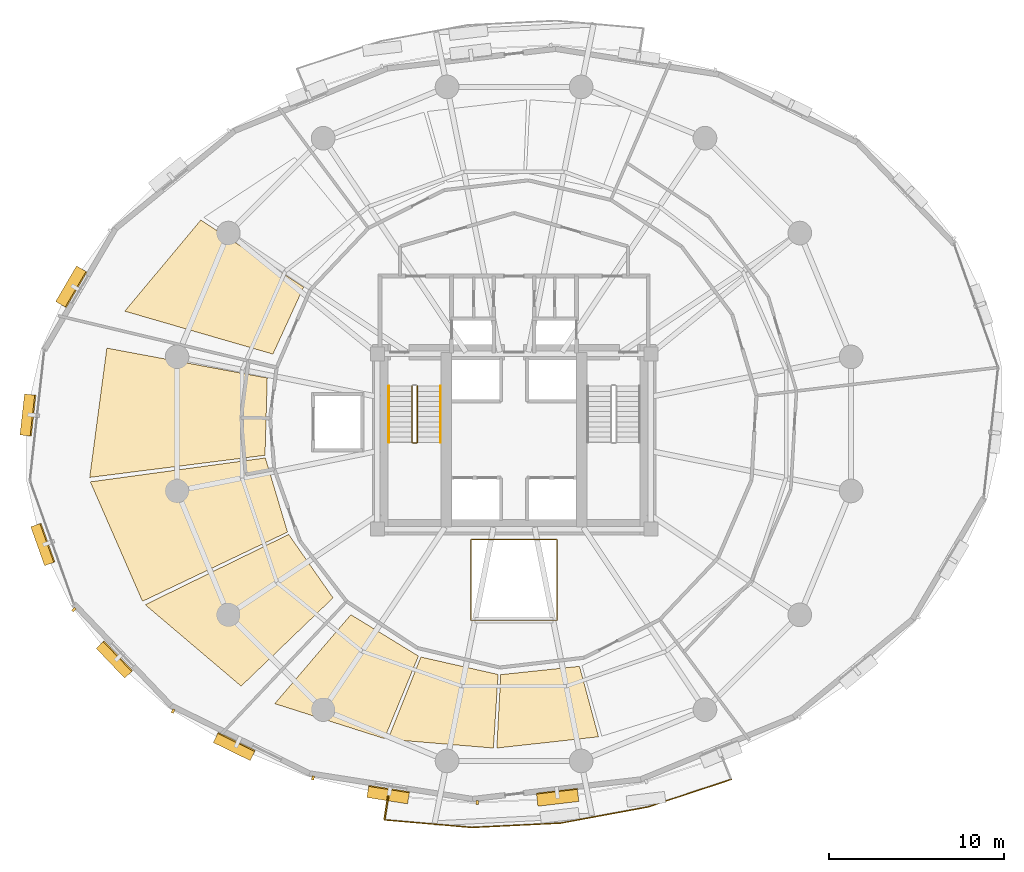
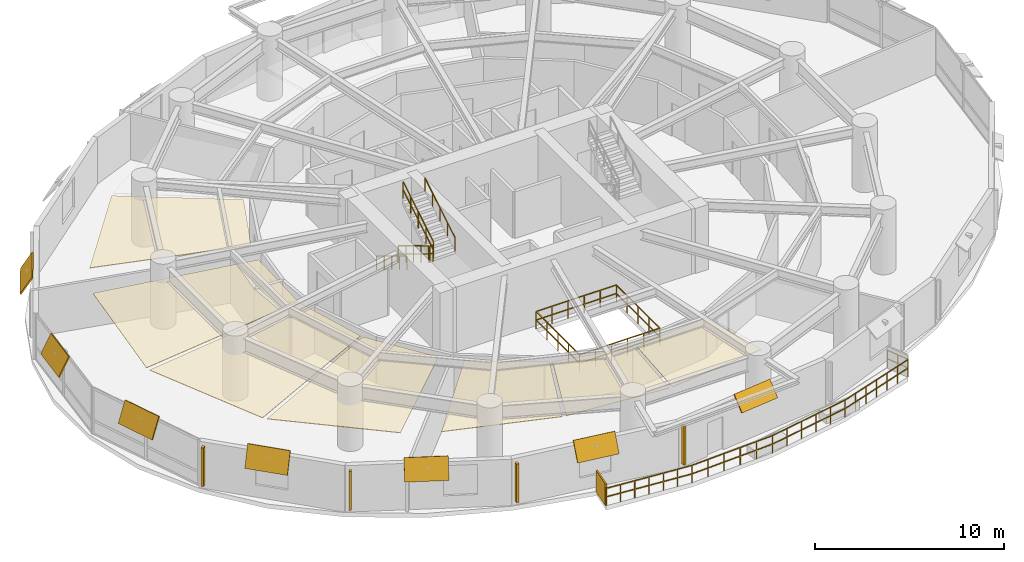
# One storey, part 15 of 17: 12 shading devices, 7 coverings, 7 railings.
"""IFC4 building model written with IfcOpenShell, lengths in metres."""

import ifcopenshell
import ifcopenshell.guid

model = None  # the IFC model being written
_history = None  # IfcOwnerHistory: only IFC2X3 demands one
_inside = {}  # id of a spatial element -> (the spatial element, [elements in it])
_under = {}  # id of a project, library or spatial element -> (it, [spatial elements below it])
_declared = {}  # id of a project -> (the project, [libraries it declares])
_typed = {}  # id of a type object -> (the type object, [elements of that type])
_made_of = {}  # id of a material, layer set ... -> (it, [elements and type objects made of it])


def new_model(schema):
    """Start an empty IFC model of exactly this schema.

    Asked for "IFC4X3", IfcOpenShell would pick the latest addendum, in which some entities
    have other attributes; the version numbers below select the first issue.
    IFC2X3 requires an IfcOwnerHistory on every rooted entity: one is made here for all.
    """
    global model, _history
    if schema == "IFC4X3":
        model = ifcopenshell.file(schema_version=(4, 3, 0, 0))
    else:
        model = ifcopenshell.file(schema=schema)
    _inside.clear()
    _under.clear()
    _declared.clear()
    _typed.clear()
    _made_of.clear()
    _history = None
    if model.schema == "IFC2X3":
        org = make("IfcOrganization", Name="unknown")
        user = make(
            "IfcPersonAndOrganization",
            ThePerson=make("IfcPerson", FamilyName="unknown"),
            TheOrganization=org,
        )
        app = make(
            "IfcApplication",
            ApplicationDeveloper=org,
            Version="unknown",
            ApplicationFullName="unknown",
            ApplicationIdentifier="unknown",
        )
        _history = make(
            "IfcOwnerHistory",
            OwningUser=user,
            OwningApplication=app,
            ChangeAction="ADDED",
            CreationDate=0,
        )
    return model


def make(cls, **values):
    """One entity of the class cls with the attributes given. An attribute that is None is left unset."""
    return model.create_entity(
        cls, **{name: value for name, value in values.items() if value is not None}
    )


def rooted(cls, **values):
    """An entity with a GlobalId (a new one), such as an element, a storey or a relation."""
    return make(cls, GlobalId=ifcopenshell.guid.new(), OwnerHistory=_history, **values)


def si_unit(unit_type, name, prefix=None):
    """IfcSIUnit, for example si_unit("LENGTHUNIT", "METRE", prefix="MILLI")."""
    return make("IfcSIUnit", UnitType=unit_type, Prefix=prefix, Name=name)


def assignment(units):
    """IfcUnitAssignment: the units of a project."""
    return None if units is None else make("IfcUnitAssignment", Units=units)


def point(xyz):
    """IfcCartesianPoint."""
    return None if xyz is None else make("IfcCartesianPoint", Coordinates=xyz)


def direction(xyz):
    """IfcDirection."""
    return None if xyz is None else make("IfcDirection", DirectionRatios=xyz)


def frame(location, z_axis=None, x_axis=None):
    """IfcAxis2Placement3D, a coordinate frame: its origin and axes. An axis left out is left unset."""
    return make(
        "IfcAxis2Placement3D",
        Location=point(location),
        Axis=direction(z_axis),
        RefDirection=direction(x_axis),
    )


def frame_2d(location, x_axis=None):
    """IfcAxis2Placement2D, a coordinate frame in the plane: its origin and x axis."""
    return make(
        "IfcAxis2Placement2D", Location=point(location), RefDirection=direction(x_axis)
    )


def origin():
    """The frame at (0, 0, 0) with its axes left unset."""
    return frame((0.0, 0.0, 0.0))


def origin_2d():
    """The frame at (0, 0) in the plane with its x axis left unset."""
    return frame_2d((0.0, 0.0))


def place(relative_to, where):
    """IfcLocalPlacement: puts the frame where relative to a parent placement (None: the world)."""
    return make(
        "IfcLocalPlacement", PlacementRelTo=relative_to, RelativePlacement=where
    )


def context(
    kind, dimensions, precision=None, world=None, true_north=None, identifier=None
):
    """IfcGeometricRepresentationContext, for example the 3D "Model" context."""
    return make(
        "IfcGeometricRepresentationContext",
        ContextIdentifier=identifier,
        ContextType=kind,
        CoordinateSpaceDimension=dimensions,
        Precision=precision,
        WorldCoordinateSystem=world,
        TrueNorth=true_north,
    )


def subcontext(parent, identifier, kind, view, scale=None):
    """IfcGeometricRepresentationSubContext, for example "Body" below "Model"."""
    return make(
        "IfcGeometricRepresentationSubContext",
        ContextIdentifier=identifier,
        ContextType=kind,
        ParentContext=parent,
        TargetScale=scale,
        TargetView=view,
    )


def project(units=None, contexts=None):
    """IfcProject with its units and contexts."""
    return rooted(
        "IfcProject",
        Name="project",
        RepresentationContexts=contexts,
        UnitsInContext=assignment(units),
    )


def spatial(cls, under=None, at=None, **own):
    """A site, building, storey or space (cls), placed at a placement, below another one or the project."""
    s = rooted(cls, ObjectPlacement=at, **own)
    if under is not None:
        _under.setdefault(under.id(), (under, []))[1].append(s)
    return s


def polyline(points):
    """IfcPolyline through the points."""
    return make("IfcPolyline", Points=[point(p) for p in points])


def profile(cls, at=None, kind="AREA", **sizes):
    """A parametric profile (cls). Its sizes go by their IFC names, for example OverallWidth=200.0."""
    return make(cls, ProfileType=kind, Position=at, **sizes)


def rectangle(**sizes):
    """IfcRectangleProfileDef."""
    return profile("IfcRectangleProfileDef", **sizes)


def outline(outer, holes=None, kind="AREA"):
    """IfcArbitraryClosedProfileDef: a profile drawn as a closed curve; with holes, ...WithVoids."""
    if holes is None:
        return make("IfcArbitraryClosedProfileDef", ProfileType=kind, OuterCurve=outer)
    return make(
        "IfcArbitraryProfileDefWithVoids",
        ProfileType=kind,
        OuterCurve=outer,
        InnerCurves=holes,
    )


def extrude(swept, where, along, depth):
    """IfcExtrudedAreaSolid: the profile swept, set in the frame where, extruded along a direction by depth."""
    return make(
        "IfcExtrudedAreaSolid",
        SweptArea=swept,
        Position=where,
        ExtrudedDirection=direction(along),
        Depth=depth,
    )


def shape(context_of_items, identifier, shape_type, items):
    """IfcShapeRepresentation: the items that make up one representation, for example the "Body"."""
    return make(
        "IfcShapeRepresentation",
        ContextOfItems=context_of_items,
        RepresentationIdentifier=identifier,
        RepresentationType=shape_type,
        Items=items,
    )


def material(Name=None, Category=None):
    """IfcMaterial."""
    return make("IfcMaterial", Name=Name, Category=Category)


def layer(
    of_material, thickness, ventilated=None, Name=None, Category=None, Priority=None
):
    """IfcMaterialLayer: one layer of a wall or slab, of a material (None: an air gap)."""
    return make(
        "IfcMaterialLayer",
        Material=of_material,
        LayerThickness=thickness,
        IsVentilated=ventilated,
        Name=Name,
        Category=Category,
        Priority=Priority,
    )


def layer_set(layers, Name=None):
    """IfcMaterialLayerSet."""
    return make("IfcMaterialLayerSet", MaterialLayers=layers, LayerSetName=Name)


def made_of(thing, what):
    """Note that an element or type object is made of a material, layer set ...; save() writes the relation."""
    if what is not None:
        _made_of.setdefault(what.id(), (what, []))[1].append(thing)
    return thing


def type_object(cls, material=None, **own):
    """A type object (cls), such as IfcWallType, which elements share."""
    return made_of(rooted(cls, **own), material)


def element(
    cls,
    number,
    at=None,
    inside=None,
    cuts=None,
    type_object=None,
    material=None,
    context=None,
    identifier="Body",
    shape_type=None,
    held_by="IfcProductDefinitionShape",
    body=None,
    shapes=None,
    **own,
):
    """One element of the class cls, such as IfcWall. Its Tag is "e" and its number.

    at: its placement. inside: the storey or other place that contains it. cuts: it is an
    opening in that element (IfcRelVoidsElement). A single representation is given by context,
    identifier, shape_type and body (its items); several are given by shapes. held_by: the class
    of the entity that holds the representations. save() writes the other relations.
    """
    e = rooted(cls, Tag="e%d" % number, ObjectPlacement=at, **own)
    if body is not None:
        shapes = [shape(context, identifier, shape_type, body)]
    if shapes is not None:
        e.Representation = make(held_by, Representations=shapes)
    if inside is not None:
        _inside.setdefault(inside.id(), (inside, []))[1].append(e)
    if cuts is not None:
        rooted(
            "IfcRelVoidsElement", RelatingBuildingElement=cuts, RelatedOpeningElement=e
        )
    if type_object is not None:
        _typed.setdefault(type_object.id(), (type_object, []))[1].append(e)
    return made_of(e, material)


def aggregate(whole, parts):
    """IfcRelAggregates: a whole, such as a stair, and the parts it consists of."""
    return rooted("IfcRelAggregates", RelatingObject=whole, RelatedObjects=parts)


def save(model, path):
    """Write the relations noted so far, then the file.

    IfcRelAggregates (storeys below a building ...), IfcRelContainedInSpatialStructure (elements
    in a storey), IfcRelDefinesByType, IfcRelAssociatesMaterial and IfcRelDeclares: one each for
    every whole, place, type object, material and project.
    """
    for whole, parts in _under.values():
        aggregate(whole, parts)
    for where, things in _inside.values():
        rooted(
            "IfcRelContainedInSpatialStructure",
            RelatedElements=things,
            RelatingStructure=where,
        )
    for kind, things in _typed.values():
        rooted("IfcRelDefinesByType", RelatedObjects=things, RelatingType=kind)
    for what, things in _made_of.values():
        rooted("IfcRelAssociatesMaterial", RelatedObjects=things, RelatingMaterial=what)
    for by, libraries in _declared.values():
        rooted("IfcRelDeclares", RelatingContext=by, RelatedDefinitions=libraries)
    model.write(path)


model = new_model("IFC4")

# Units and contexts
model_context = context("Model", 3, precision=1e-05, world=origin(), true_north=direction((0.0, 1.0)))
body_context = subcontext(model_context, "Body", "Model", "MODEL_VIEW")
ifc_project = project(units=[si_unit("LENGTHUNIT", "METRE"), si_unit("AREAUNIT", "SQUARE_METRE"), si_unit("VOLUMEUNIT", "CUBIC_METRE"), si_unit("PLANEANGLEUNIT", "RADIAN"), si_unit("MASSUNIT", "GRAM", prefix="KILO"), si_unit("THERMODYNAMICTEMPERATUREUNIT", "KELVIN"), si_unit("POWERUNIT", "WATT")], contexts=[model_context])

# Site, building, storey
site_placement = place(None, origin())
site = spatial("IfcSite", under=ifc_project, at=site_placement, CompositionType="ELEMENT")
building_placement = place(site_placement, origin())
building = spatial("IfcBuilding", under=site, at=building_placement, Name="Ocrelia Relay Tower", CompositionType="ELEMENT")
storey_placement = place(building_placement, frame((0.0, 0.0, 59.39990234375)))
storey = spatial("IfcBuildingStorey", under=building, at=storey_placement, Name="L13", CompositionType="ELEMENT", Elevation=59.39990234375)

# Coverings
ifc_material_1 = material(Name="Mineral-fiber acoustic ceiling tile", Category="gypsum")
ifc_layer_1 = layer(ifc_material_1, 0.0400390625, Name="Mineral-fiber acoustic ceiling tile")
ifc_layer_set_1 = layer_set([ifc_layer_1], Name="Mineral-fiber acoustic ceiling tile")
covering_type_1 = type_object("IfcCoveringType", Name="COV-CEIL-ACOUSTIC", PredefinedType="CEILING", material=ifc_layer_set_1)
covering_1_placement = place(storey_placement, frame((0.0, 0.0, 2.920166015625)))
element("IfcCovering", 1, at=covering_1_placement, inside=storey, type_object=covering_type_1, Name="L13 Technical Reference Library Suspended Ceiling 1", PredefinedType="CEILING", context=body_context, shape_type="SweptSolid", body=[
    extrude(outline(polyline([(19.922119140625, 28.621826171875), (10.7705078125, 30.326416015625), (9.792236328125, 22.948974609375), (19.79248046875, 24.20947265625), (19.922119140625, 28.621826171875)])), origin(), (0.0, 0.0, 1.0), 0.0400390625),
])
covering_2_placement = place(storey_placement, frame((0.0, 0.0, 2.920166015625)))
element("IfcCovering", 2, at=covering_2_placement, inside=storey, type_object=covering_type_1, Name="L13 Technical Reference Library Suspended Ceiling 2", PredefinedType="CEILING", context=body_context, shape_type="SweptSolid", body=[
    extrude(outline(polyline([(19.81201171875, 24.060791015625), (9.828369140625, 22.696044921875), (12.804443359375, 15.8828125), (21.076904296875, 19.831298828125), (19.81201171875, 24.060791015625)])), origin(), (0.0, 0.0, 1.0), 0.0400390625),
])
covering_3_placement = place(storey_placement, frame((0.0, 0.0, 2.920166015625)))
element("IfcCovering", 3, at=covering_3_placement, inside=storey, type_object=covering_type_1, Name="L13 Technical Reference Library Suspended Ceiling 3", PredefinedType="CEILING", context=body_context, shape_type="SweptSolid", body=[
    extrude(outline(polyline([(21.14208984375, 19.6962890625), (12.959716796875, 15.684814453125), (18.430419921875, 11.043212890625), (23.673095703125, 16.07958984375), (21.14208984375, 19.6962890625)])), origin(), (0.0, 0.0, 1.0), 0.0400390625),
])
covering_4_placement = place(storey_placement, frame((0.0, 0.0, 2.920166015625)))
element("IfcCovering", 4, at=covering_4_placement, inside=storey, type_object=covering_type_1, Name="L13 Executive Reading Study Suspended Ceiling 2", PredefinedType="CEILING", context=body_context, shape_type="SweptSolid", body=[
    extrude(outline(polyline([(21.9970703125, 33.809814453125), (16.127685546875, 37.628662109375), (11.79345703125, 32.4306640625), (20.2451171875, 29.983154296875), (21.9970703125, 33.809814453125)])), origin(), (0.0, 0.0, 1.0), 0.0400390625),
])
ifc_material_2 = material(Name="Cleanroom metal-pan acoustic ceiling", Category="aluminium")
ifc_layer_2 = layer(ifc_material_2, 0.0400390625, Name="Cleanroom metal-pan acoustic ceiling")
ifc_layer_set_2 = layer_set([ifc_layer_2], Name="Cleanroom metal-pan acoustic ceiling")
covering_type_2 = type_object("IfcCoveringType", Name="COV-CEIL-CLEAN", PredefinedType="CEILING", material=ifc_layer_set_2)
covering_5_placement = place(storey_placement, frame((0.0, 0.0, 2.920166015625)))
element("IfcCovering", 5, at=covering_5_placement, inside=storey, type_object=covering_type_2, Name="L13 Colocation Data Hall A Suspended Ceiling 1", PredefinedType="CEILING", context=body_context, shape_type="SweptSolid", body=[
    extrude(outline(polyline([(24.6904296875, 15.119140625), (20.348388671875, 10.044189453125), (26.60205078125, 8.05126953125), (28.543212890625, 12.760498046875), (24.6904296875, 15.119140625)])), origin(), (0.0, 0.0, 1.0), 0.0400390625),
])
covering_6_placement = place(storey_placement, frame((0.0, 0.0, 2.920166015625)))
element("IfcCovering", 6, at=covering_6_placement, inside=storey, type_object=covering_type_2, Name="L13 Colocation Data Hall A Suspended Ceiling 2", PredefinedType="CEILING", context=body_context, shape_type="SweptSolid", body=[
    extrude(outline(polyline([(28.681884765625, 12.7041015625), (26.8056640625, 8.0126953125), (32.820556640625, 7.509521484375), (33.08837890625, 11.708984375), (28.681884765625, 12.7041015625)])), origin(), (0.0, 0.0, 1.0), 0.0400390625),
])
covering_7_placement = place(storey_placement, frame((0.0, 0.0, 2.920166015625)))
element("IfcCovering", 7, at=covering_7_placement, inside=storey, type_object=covering_type_2, Name="L13 Colocation Data Hall A Suspended Ceiling 3", PredefinedType="CEILING", context=body_context, shape_type="SweptSolid", body=[
    extrude(outline(polyline([(33.238037109375, 11.7001953125), (33.014892578125, 7.512451171875), (38.81591796875, 8.152099609375), (37.73046875, 12.17431640625), (33.238037109375, 11.7001953125)])), origin(), (0.0, 0.0, 1.0), 0.0400390625),
])

# Railings
ifc_material_3 = material(Name="Steel S355 balustrade", Category="steel")
railing_type_1 = type_object("IfcRailingType", Name="RL-EXT-GUARD-1150", PredefinedType="GUARDRAIL", material=ifc_material_3)
railing_1_placement = place(storey_placement, frame((45.86328125, 7.013671875, 0.0)))
element("IfcRailing", 8, at=railing_1_placement, inside=storey, type_object=railing_type_1, Name="L13 Loggia Balcony Guard Rail B2", PredefinedType="GUARDRAIL", context=body_context, shape_type="SweptSolid", body=[
    extrude(rectangle(XDim=0.048095703125, YDim=0.048095703125, at=origin_2d()), frame((0.0, 0.0, 1.1259765625), z_axis=(0.379683250356, -0.92511654909, 0.0), x_axis=(0.92511654909, 0.379683250356, 0.0)), (0.0, 0.0, 1.0), 1.393310546875),
    extrude(rectangle(XDim=0.048095703125, YDim=0.048095703125, at=origin_2d()), frame((0.0, 0.0, 0.574951171875), z_axis=(0.379683250356, -0.92511654909, 0.0), x_axis=(0.92511654909, 0.379683250356, 0.0)), (0.0, 0.0, 1.0), 1.393310546875),
    extrude(rectangle(XDim=0.048095703125, YDim=0.048095703125, at=origin_2d()), frame((0.529052734375, -1.2890625, 1.1259765625), z_axis=(-0.949547118099, -0.31362440994, 0.0), x_axis=(0.31362440994, -0.949547118099, 0.0)), (0.0, 0.0, 1.0), 2.505126953125),
    extrude(rectangle(XDim=0.048095703125, YDim=0.048095703125, at=origin_2d()), frame((0.529052734375, -1.2890625, 0.574951171875), z_axis=(-0.949547118099, -0.31362440994, 0.0), x_axis=(0.31362440994, -0.949547118099, 0.0)), (0.0, 0.0, 1.0), 2.505126953125),
    extrude(rectangle(XDim=0.048095703125, YDim=0.048095703125, at=origin_2d()), frame((-1.849609375, -2.07470703125, 1.1259765625), z_axis=(-0.949547118099, -0.31362440994, 0.0), x_axis=(0.31362440994, -0.949547118099, 0.0)), (0.0, 0.0, 1.0), 2.505126953125),
    extrude(rectangle(XDim=0.048095703125, YDim=0.048095703125, at=origin_2d()), frame((-1.849609375, -2.07470703125, 0.574951171875), z_axis=(-0.949547118099, -0.31362440994, 0.0), x_axis=(0.31362440994, -0.949547118099, 0.0)), (0.0, 0.0, 1.0), 2.505126953125),
    extrude(rectangle(XDim=0.048095703125, YDim=0.048095703125, at=origin_2d()), frame((-4.228271484375, -2.8603515625, 1.1259765625), z_axis=(-0.983288716577, -0.182053013849, 0.0), x_axis=(0.182053013849, -0.983288716577, 0.0)), (0.0, 0.0, 1.0), 5.065185546875),
    extrude(rectangle(XDim=0.048095703125, YDim=0.048095703125, at=origin_2d()), frame((-4.228271484375, -2.8603515625, 0.574951171875), z_axis=(-0.983288716577, -0.182053013849, 0.0), x_axis=(0.182053013849, -0.983288716577, 0.0)), (0.0, 0.0, 1.0), 5.065185546875),
    extrude(rectangle(XDim=0.048095703125, YDim=0.048095703125, at=origin_2d()), frame((-9.208740234375, -3.782470703125, 1.1259765625), z_axis=(-0.998797716958, -0.049021634002, 0.0), x_axis=(0.049021634002, -0.998797716958, 0.0)), (0.0, 0.0, 1.0), 5.06494140625),
    extrude(rectangle(XDim=0.048095703125, YDim=0.048095703125, at=origin_2d()), frame((-9.208740234375, -3.782470703125, 0.574951171875), z_axis=(-0.998797716958, -0.049021634002, 0.0), x_axis=(0.049021634002, -0.998797716958, 0.0)), (0.0, 0.0, 1.0), 5.06494140625),
    extrude(rectangle(XDim=0.048095703125, YDim=0.048095703125, at=origin_2d()), frame((-14.267578125, -4.03076171875, 1.1259765625), z_axis=(-0.99623107395, 0.086738960655, 0.0), x_axis=(-0.086738960655, -0.99623107395, 0.0)), (0.0, 0.0, 1.0), 2.505126953125),
    extrude(rectangle(XDim=0.048095703125, YDim=0.048095703125, at=origin_2d()), frame((-14.267578125, -4.03076171875, 0.574951171875), z_axis=(-0.99623107395, 0.086738960655, 0.0), x_axis=(-0.086738960655, -0.99623107395, 0.0)), (0.0, 0.0, 1.0), 2.505126953125),
    extrude(rectangle(XDim=0.048095703125, YDim=0.048095703125, at=origin_2d()), frame((-16.76318359375, -3.8134765625, 1.1259765625), z_axis=(-0.99623107395, 0.086738960655, 0.0), x_axis=(-0.086738960655, -0.99623107395, 0.0)), (0.0, 0.0, 1.0), 2.505126953125),
    extrude(rectangle(XDim=0.048095703125, YDim=0.048095703125, at=origin_2d()), frame((-16.76318359375, -3.8134765625, 0.574951171875), z_axis=(-0.99623107395, 0.086738960655, 0.0), x_axis=(-0.086738960655, -0.99623107395, 0.0)), (0.0, 0.0, 1.0), 2.505126953125),
    extrude(rectangle(XDim=0.048095703125, YDim=0.048095703125, at=origin_2d()), frame((-19.2587890625, -3.59619140625, 1.1259765625), z_axis=(0.156637330586, 0.987656188492, 0.0), x_axis=(-0.987656188492, 0.156637330586, 0.0)), (0.0, 0.0, 1.0), 1.393310546875),
    extrude(rectangle(XDim=0.048095703125, YDim=0.048095703125, at=origin_2d()), frame((-19.2587890625, -3.59619140625, 0.574951171875), z_axis=(0.156637330586, 0.987656188492, 0.0), x_axis=(-0.987656188492, 0.156637330586, 0.0)), (0.0, 0.0, 1.0), 1.393310546875),
    extrude(rectangle(XDim=0.0419921875, YDim=0.0419921875, at=origin_2d()), origin(), (0.0, 0.0, 1.0), 1.101806640625),
    extrude(rectangle(XDim=0.0419921875, YDim=0.0419921875, at=origin_2d()), frame((0.2646484375, -0.64453125, 0.0)), (0.0, 0.0, 1.0), 1.101806640625),
    extrude(rectangle(XDim=0.0419921875, YDim=0.0419921875, at=origin_2d()), frame((0.529052734375, -1.2890625, 0.0)), (0.0, 0.0, 1.0), 1.101806640625),
    extrude(rectangle(XDim=0.0419921875, YDim=0.0419921875, at=origin_2d()), frame((-0.263916015625, -1.551025390625, 0.0)), (0.0, 0.0, 1.0), 1.101806640625),
    extrude(rectangle(XDim=0.0419921875, YDim=0.0419921875, at=origin_2d()), frame((-1.056640625, -1.812744140625, 0.0)), (0.0, 0.0, 1.0), 1.101806640625),
    extrude(rectangle(XDim=0.0419921875, YDim=0.0419921875, at=origin_2d()), frame((-1.849609375, -2.07470703125, 0.0)), (0.0, 0.0, 1.0), 1.101806640625),
    extrude(rectangle(XDim=0.0419921875, YDim=0.0419921875, at=origin_2d()), frame((-2.642578125, -2.336669921875, 0.0)), (0.0, 0.0, 1.0), 1.101806640625),
    extrude(rectangle(XDim=0.0419921875, YDim=0.0419921875, at=origin_2d()), frame((-3.435302734375, -2.598388671875, 0.0)), (0.0, 0.0, 1.0), 1.101806640625),
    extrude(rectangle(XDim=0.0419921875, YDim=0.0419921875, at=origin_2d()), frame((-4.228271484375, -2.8603515625, 0.0)), (0.0, 0.0, 1.0), 1.101806640625),
    extrude(rectangle(XDim=0.0419921875, YDim=0.0419921875, at=origin_2d()), frame((-5.224365234375, -3.044677734375, 0.0)), (0.0, 0.0, 1.0), 1.101806640625),
    extrude(rectangle(XDim=0.0419921875, YDim=0.0419921875, at=origin_2d()), frame((-6.220458984375, -3.229248046875, 0.0)), (0.0, 0.0, 1.0), 1.101806640625),
    extrude(rectangle(XDim=0.0419921875, YDim=0.0419921875, at=origin_2d()), frame((-7.216552734375, -3.41357421875, 0.0)), (0.0, 0.0, 1.0), 1.101806640625),
    extrude(rectangle(XDim=0.0419921875, YDim=0.0419921875, at=origin_2d()), frame((-8.212646484375, -3.59814453125, 0.0)), (0.0, 0.0, 1.0), 1.101806640625),
    extrude(rectangle(XDim=0.0419921875, YDim=0.0419921875, at=origin_2d()), frame((-9.208740234375, -3.782470703125, 0.0)), (0.0, 0.0, 1.0), 1.101806640625),
    extrude(rectangle(XDim=0.0419921875, YDim=0.0419921875, at=origin_2d()), frame((-10.220458984375, -3.83203125, 0.0)), (0.0, 0.0, 1.0), 1.101806640625),
    extrude(rectangle(XDim=0.0419921875, YDim=0.0419921875, at=origin_2d()), frame((-11.232177734375, -3.8818359375, 0.0)), (0.0, 0.0, 1.0), 1.101806640625),
    extrude(rectangle(XDim=0.0419921875, YDim=0.0419921875, at=origin_2d()), frame((-12.244140625, -3.931396484375, 0.0)), (0.0, 0.0, 1.0), 1.101806640625),
    extrude(rectangle(XDim=0.0419921875, YDim=0.0419921875, at=origin_2d()), frame((-13.255859375, -3.981201171875, 0.0)), (0.0, 0.0, 1.0), 1.101806640625),
    extrude(rectangle(XDim=0.0419921875, YDim=0.0419921875, at=origin_2d()), frame((-14.267578125, -4.03076171875, 0.0)), (0.0, 0.0, 1.0), 1.101806640625),
    extrude(rectangle(XDim=0.0419921875, YDim=0.0419921875, at=origin_2d()), frame((-15.099365234375, -3.958251953125, 0.0)), (0.0, 0.0, 1.0), 1.101806640625),
    extrude(rectangle(XDim=0.0419921875, YDim=0.0419921875, at=origin_2d()), frame((-15.931396484375, -3.885986328125, 0.0)), (0.0, 0.0, 1.0), 1.101806640625),
    extrude(rectangle(XDim=0.0419921875, YDim=0.0419921875, at=origin_2d()), frame((-16.76318359375, -3.8134765625, 0.0)), (0.0, 0.0, 1.0), 1.101806640625),
    extrude(rectangle(XDim=0.0419921875, YDim=0.0419921875, at=origin_2d()), frame((-17.594970703125, -3.740966796875, 0.0)), (0.0, 0.0, 1.0), 1.101806640625),
    extrude(rectangle(XDim=0.0419921875, YDim=0.0419921875, at=origin_2d()), frame((-18.427001953125, -3.668701171875, 0.0)), (0.0, 0.0, 1.0), 1.101806640625),
    extrude(rectangle(XDim=0.0419921875, YDim=0.0419921875, at=origin_2d()), frame((-19.2587890625, -3.59619140625, 0.0)), (0.0, 0.0, 1.0), 1.101806640625),
    extrude(rectangle(XDim=0.0419921875, YDim=0.0419921875, at=origin_2d()), frame((-19.149658203125, -2.908203125, 0.0)), (0.0, 0.0, 1.0), 1.101806640625),
    extrude(rectangle(XDim=0.0419921875, YDim=0.0419921875, at=origin_2d()), frame((-19.04052734375, -2.219970703125, 0.0)), (0.0, 0.0, 1.0), 1.101806640625),
])
ifc_material_4 = material(Name="Steel S355 atrium balustrade", Category="steel")
railing_type_2 = type_object("IfcRailingType", Name="RL-INT-GUARD-115", PredefinedType="GUARDRAIL", material=ifc_material_4)
railing_2_placement = place(storey_placement, frame((31.550048828125, 14.800048828125, 0.0)))
element("IfcRailing", 9, at=railing_2_placement, inside=storey, type_object=railing_type_2, Name="L13 Multi-Zone Interior Atrium Guard", PredefinedType="GUARDRAIL", context=body_context, shape_type="SweptSolid", body=[
    extrude(rectangle(XDim=0.048095703125, YDim=0.048095703125, at=origin_2d()), frame((0.0, 0.0, 1.1259765625), z_axis=(1.0, 0.0, 0.0), x_axis=(0.0, 1.0, 0.0)), (0.0, 0.0, 1.0), 4.89990234375),
    extrude(rectangle(XDim=0.048095703125, YDim=0.048095703125, at=origin_2d()), frame((0.0, 0.0, 0.574951171875), z_axis=(1.0, 0.0, 0.0), x_axis=(0.0, 1.0, 0.0)), (0.0, 0.0, 1.0), 4.89990234375),
    extrude(rectangle(XDim=0.048095703125, YDim=0.048095703125, at=origin_2d()), frame((4.89990234375, 0.0, 1.1259765625), z_axis=(0.0, 1.0, 0.0), x_axis=(-1.0, 0.0, 0.0)), (0.0, 0.0, 1.0), 4.599853515625),
    extrude(rectangle(XDim=0.048095703125, YDim=0.048095703125, at=origin_2d()), frame((4.89990234375, 0.0, 0.574951171875), z_axis=(0.0, 1.0, 0.0), x_axis=(-1.0, 0.0, 0.0)), (0.0, 0.0, 1.0), 4.599853515625),
    extrude(rectangle(XDim=0.048095703125, YDim=0.048095703125, at=origin_2d()), frame((4.89990234375, 4.599853515625, 1.1259765625), z_axis=(-1.0, 0.0, 0.0), x_axis=(0.0, -1.0, 0.0)), (0.0, 0.0, 1.0), 4.89990234375),
    extrude(rectangle(XDim=0.048095703125, YDim=0.048095703125, at=origin_2d()), frame((4.89990234375, 4.599853515625, 0.574951171875), z_axis=(-1.0, 0.0, 0.0), x_axis=(0.0, -1.0, 0.0)), (0.0, 0.0, 1.0), 4.89990234375),
    extrude(rectangle(XDim=0.048095703125, YDim=0.048095703125, at=origin_2d()), frame((0.0, 4.599853515625, 1.1259765625), z_axis=(0.0, -1.0, 0.0), x_axis=(1.0, 0.0, 0.0)), (0.0, 0.0, 1.0), 4.599853515625),
    extrude(rectangle(XDim=0.048095703125, YDim=0.048095703125, at=origin_2d()), frame((0.0, 4.599853515625, 0.574951171875), z_axis=(0.0, -1.0, 0.0), x_axis=(1.0, 0.0, 0.0)), (0.0, 0.0, 1.0), 4.599853515625),
    extrude(rectangle(XDim=0.0419921875, YDim=0.0419921875, at=origin_2d()), origin(), (0.0, 0.0, 1.0), 1.101806640625),
    extrude(rectangle(XDim=0.0419921875, YDim=0.0419921875, at=origin_2d()), frame((0.97998046875, 0.0, 0.0)), (0.0, 0.0, 1.0), 1.101806640625),
    extrude(rectangle(XDim=0.0419921875, YDim=0.0419921875, at=origin_2d()), frame((1.9599609375, 0.0, 0.0)), (0.0, 0.0, 1.0), 1.101806640625),
    extrude(rectangle(XDim=0.0419921875, YDim=0.0419921875, at=origin_2d()), frame((2.93994140625, 0.0, 0.0)), (0.0, 0.0, 1.0), 1.101806640625),
    extrude(rectangle(XDim=0.0419921875, YDim=0.0419921875, at=origin_2d()), frame((3.919921875, 0.0, 0.0)), (0.0, 0.0, 1.0), 1.101806640625),
    extrude(rectangle(XDim=0.0419921875, YDim=0.0419921875, at=origin_2d()), frame((4.89990234375, 0.0, 0.0)), (0.0, 0.0, 1.0), 1.101806640625),
    extrude(rectangle(XDim=0.0419921875, YDim=0.0419921875, at=origin_2d()), frame((4.89990234375, 1.14990234375, 0.0)), (0.0, 0.0, 1.0), 1.101806640625),
    extrude(rectangle(XDim=0.0419921875, YDim=0.0419921875, at=origin_2d()), frame((4.89990234375, 2.2998046875, 0.0)), (0.0, 0.0, 1.0), 1.101806640625),
    extrude(rectangle(XDim=0.0419921875, YDim=0.0419921875, at=origin_2d()), frame((4.89990234375, 3.449951171875, 0.0)), (0.0, 0.0, 1.0), 1.101806640625),
    extrude(rectangle(XDim=0.0419921875, YDim=0.0419921875, at=origin_2d()), frame((4.89990234375, 4.599853515625, 0.0)), (0.0, 0.0, 1.0), 1.101806640625),
    extrude(rectangle(XDim=0.0419921875, YDim=0.0419921875, at=origin_2d()), frame((3.919921875, 4.599853515625, 0.0)), (0.0, 0.0, 1.0), 1.101806640625),
    extrude(rectangle(XDim=0.0419921875, YDim=0.0419921875, at=origin_2d()), frame((2.93994140625, 4.599853515625, 0.0)), (0.0, 0.0, 1.0), 1.101806640625),
    extrude(rectangle(XDim=0.0419921875, YDim=0.0419921875, at=origin_2d()), frame((1.9599609375, 4.599853515625, 0.0)), (0.0, 0.0, 1.0), 1.101806640625),
    extrude(rectangle(XDim=0.0419921875, YDim=0.0419921875, at=origin_2d()), frame((0.97998046875, 4.599853515625, 0.0)), (0.0, 0.0, 1.0), 1.101806640625),
    extrude(rectangle(XDim=0.0419921875, YDim=0.0419921875, at=origin_2d()), frame((0.0, 4.599853515625, 0.0)), (0.0, 0.0, 1.0), 1.101806640625),
    extrude(rectangle(XDim=0.0419921875, YDim=0.0419921875, at=origin_2d()), frame((0.0, 3.449951171875, 0.0)), (0.0, 0.0, 1.0), 1.101806640625),
    extrude(rectangle(XDim=0.0419921875, YDim=0.0419921875, at=origin_2d()), frame((0.0, 2.2998046875, 0.0)), (0.0, 0.0, 1.0), 1.101806640625),
    extrude(rectangle(XDim=0.0419921875, YDim=0.0419921875, at=origin_2d()), frame((0.0, 1.14990234375, 0.0)), (0.0, 0.0, 1.0), 1.101806640625),
])
railing_type_3 = type_object("IfcRailingType", Name="RL-STAIR-GUARD", PredefinedType="GUARDRAIL", material=ifc_material_3)
railing_3_placement = place(storey_placement, frame((28.179931640625, 28.14990234375, 0.175048828125)))
element("IfcRailing", 10, at=railing_3_placement, inside=storey, type_object=railing_type_3, Name="L13 ST1 stair guard 1", PredefinedType="GUARDRAIL", context=body_context, shape_type="SweptSolid", body=[
    extrude(rectangle(XDim=0.048095703125, YDim=0.048095703125, at=origin_2d()), frame((0.0, 0.0, 1.076171875), z_axis=(0.0, -0.856177665481, 0.516681531633), x_axis=(1.0, 0.0, 0.0)), (0.0, 0.0, 1.0), 3.725830078125),
    extrude(rectangle(XDim=0.048095703125, YDim=0.048095703125, at=origin_2d()), frame((0.0, 0.0, 0.550048828125), z_axis=(0.0, -0.856177665481, 0.516681531633), x_axis=(1.0, 0.0, 0.0)), (0.0, 0.0, 1.0), 3.725830078125),
    extrude(rectangle(XDim=0.0419921875, YDim=0.0419921875, at=origin_2d()), origin(), (0.0, 0.0, 1.0), 1.052001953125),
    extrude(rectangle(XDim=0.0419921875, YDim=0.0419921875, at=origin_2d()), frame((0.0, -0.79736328125, 0.481201171875)), (0.0, 0.0, 1.0), 1.052001953125),
    extrude(rectangle(XDim=0.0419921875, YDim=0.0419921875, at=origin_2d()), frame((0.0, -1.594970703125, 0.96240234375)), (0.0, 0.0, 1.0), 1.052001953125),
    extrude(rectangle(XDim=0.0419921875, YDim=0.0419921875, at=origin_2d()), frame((0.0, -2.392578125, 1.44384765625)), (0.0, 0.0, 1.0), 1.052001953125),
    extrude(rectangle(XDim=0.0419921875, YDim=0.0419921875, at=origin_2d()), frame((0.0, -3.18994140625, 1.925048828125)), (0.0, 0.0, 1.0), 1.052001953125),
])
railing_4_placement = place(storey_placement, frame((28.22998046875, 24.909912109375, 2.10009765625)))
element("IfcRailing", 11, at=railing_4_placement, inside=storey, type_object=railing_type_3, Name="L13 ST1 stair guard 2", PredefinedType="GUARDRAIL", context=body_context, shape_type="SweptSolid", body=[
    extrude(rectangle(XDim=0.048095703125, YDim=0.048095703125, at=origin_2d()), frame((0.0, 0.0, 1.076171875), z_axis=(1.0, 0.0, 0.0), x_axis=(0.0, 1.0, 0.0)), (0.0, 0.0, 1.0), 0.199951171875),
    extrude(rectangle(XDim=0.048095703125, YDim=0.048095703125, at=origin_2d()), frame((0.0, 0.0, 0.550048828125), z_axis=(1.0, 0.0, 0.0), x_axis=(0.0, 1.0, 0.0)), (0.0, 0.0, 1.0), 0.199951171875),
    extrude(rectangle(XDim=0.0419921875, YDim=0.0419921875, at=origin_2d()), origin(), (0.0, 0.0, 1.0), 1.052001953125),
    extrude(rectangle(XDim=0.0419921875, YDim=0.0419921875, at=origin_2d()), frame((0.199951171875, 0.0, 0.0)), (0.0, 0.0, 1.0), 1.052001953125),
])
railing_5_placement = place(storey_placement, frame((28.47998046875, 24.9599609375, 2.275146484375)))
element("IfcRailing", 12, at=railing_5_placement, inside=storey, type_object=railing_type_3, Name="L13 ST1 stair guard 3", PredefinedType="GUARDRAIL", context=body_context, shape_type="SweptSolid", body=[
    extrude(rectangle(XDim=0.048095703125, YDim=0.048095703125, at=origin_2d()), frame((0.0, 0.0, 1.076171875), z_axis=(0.0, 0.856177665481, 0.516681531633), x_axis=(-1.0, 0.0, 0.0)), (0.0, 0.0, 1.0), 3.725830078125),
    extrude(rectangle(XDim=0.048095703125, YDim=0.048095703125, at=origin_2d()), frame((0.0, 0.0, 0.550048828125), z_axis=(0.0, 0.856177665481, 0.516681531633), x_axis=(-1.0, 0.0, 0.0)), (0.0, 0.0, 1.0), 3.725830078125),
    extrude(rectangle(XDim=0.0419921875, YDim=0.0419921875, at=origin_2d()), origin(), (0.0, 0.0, 1.0), 1.052001953125),
    extrude(rectangle(XDim=0.0419921875, YDim=0.0419921875, at=origin_2d()), frame((0.0, 0.79736328125, 0.481201171875)), (0.0, 0.0, 1.0), 1.052001953125),
    extrude(rectangle(XDim=0.0419921875, YDim=0.0419921875, at=origin_2d()), frame((0.0, 1.594970703125, 0.96240234375)), (0.0, 0.0, 1.0), 1.052001953125),
    extrude(rectangle(XDim=0.0419921875, YDim=0.0419921875, at=origin_2d()), frame((0.0, 2.392578125, 1.44384765625)), (0.0, 0.0, 1.0), 1.052001953125),
    extrude(rectangle(XDim=0.0419921875, YDim=0.0419921875, at=origin_2d()), frame((0.0, 3.18994140625, 1.925048828125)), (0.0, 0.0, 1.0), 1.052001953125),
])
ifc_material_5 = material(Name="Steel S355 tubular handrail", Category="steel")
railing_type_4 = type_object("IfcRailingType", Name="RL-STAIR-HAND", PredefinedType="HANDRAIL", material=ifc_material_5)
railing_6_placement = place(storey_placement, frame((26.860107421875, 28.14990234375, 0.175048828125)))
element("IfcRailing", 13, at=railing_6_placement, inside=storey, type_object=railing_type_4, Name="L13 ST1 stair handrail 1", PredefinedType="HANDRAIL", context=body_context, shape_type="SweptSolid", body=[
    extrude(rectangle(XDim=0.048095703125, YDim=0.048095703125, at=origin_2d()), frame((0.0, 0.0, 0.8759765625), z_axis=(0.0, -0.856177665481, 0.516681531633), x_axis=(1.0, 0.0, 0.0)), (0.0, 0.0, 1.0), 3.725830078125),
    extrude(rectangle(XDim=0.0419921875, YDim=0.0419921875, at=origin_2d()), origin(), (0.0, 0.0, 1.0), 0.851806640625),
    extrude(rectangle(XDim=0.0419921875, YDim=0.0419921875, at=origin_2d()), frame((0.0, -0.79736328125, 0.481201171875)), (0.0, 0.0, 1.0), 0.851806640625),
    extrude(rectangle(XDim=0.0419921875, YDim=0.0419921875, at=origin_2d()), frame((0.0, -1.594970703125, 0.96240234375)), (0.0, 0.0, 1.0), 0.851806640625),
    extrude(rectangle(XDim=0.0419921875, YDim=0.0419921875, at=origin_2d()), frame((0.0, -2.392578125, 1.44384765625)), (0.0, 0.0, 1.0), 0.851806640625),
    extrude(rectangle(XDim=0.0419921875, YDim=0.0419921875, at=origin_2d()), frame((0.0, -3.18994140625, 1.925048828125)), (0.0, 0.0, 1.0), 0.851806640625),
])
railing_7_placement = place(storey_placement, frame((29.800048828125, 24.9599609375, 2.275146484375)))
element("IfcRailing", 14, at=railing_7_placement, inside=storey, type_object=railing_type_4, Name="L13 ST1 stair handrail 2", PredefinedType="HANDRAIL", context=body_context, shape_type="SweptSolid", body=[
    extrude(rectangle(XDim=0.048095703125, YDim=0.048095703125, at=origin_2d()), frame((0.0, 0.0, 0.8759765625), z_axis=(0.0, 0.856177665481, 0.516681531633), x_axis=(-1.0, 0.0, 0.0)), (0.0, 0.0, 1.0), 3.725830078125),
    extrude(rectangle(XDim=0.0419921875, YDim=0.0419921875, at=origin_2d()), origin(), (0.0, 0.0, 1.0), 0.851806640625),
    extrude(rectangle(XDim=0.0419921875, YDim=0.0419921875, at=origin_2d()), frame((0.0, 0.79736328125, 0.481201171875)), (0.0, 0.0, 1.0), 0.851806640625),
    extrude(rectangle(XDim=0.0419921875, YDim=0.0419921875, at=origin_2d()), frame((0.0, 1.594970703125, 0.96240234375)), (0.0, 0.0, 1.0), 0.851806640625),
    extrude(rectangle(XDim=0.0419921875, YDim=0.0419921875, at=origin_2d()), frame((0.0, 2.392578125, 1.44384765625)), (0.0, 0.0, 1.0), 0.851806640625),
    extrude(rectangle(XDim=0.0419921875, YDim=0.0419921875, at=origin_2d()), frame((0.0, 3.18994140625, 1.925048828125)), (0.0, 0.0, 1.0), 0.851806640625),
])

# Shading devices
ifc_material_6 = material(Name="Perforated oxide terracotta solar screen", Category="masonry")
ifc_layer_3 = layer(ifc_material_6, 0.090087890625, Name="Perforated oxide terracotta solar screen")
ifc_layer_set_3 = layer_set([ifc_layer_3], Name="Perforated oxide terracotta solar screen")
shading_device_type_1 = type_object("IfcShadingDeviceType", Name="SH-BALC-SCREEN", PredefinedType="USERDEFINED", material=ifc_layer_set_3)
shading_device_1_placement = place(storey_placement, frame((26.713623046875, 4.105712890625, 0.000244140625), z_axis=(0.0, 0.0, 1.0), x_axis=(-0.156655324387, -0.987653334597, 0.0)))
element("IfcShadingDevice", 15, at=shading_device_1_placement, inside=storey, type_object=shading_device_type_1, Name="L13 Balcony Perforated Terracotta Screen B2-1", ObjectType="SCREEN", PredefinedType="USERDEFINED", context=body_context, shape_type="SweptSolid", body=[
    extrude(rectangle(XDim=1.340087890625, YDim=0.090087890625, at=origin_2d()), origin(), (0.0, 0.0, 1.0), 1.39990234375),
])
ifc_material_7 = material(Name="Extruded oxide terracotta vertical baguette", Category="masonry")
shading_device_type_2 = type_object("IfcShadingDeviceType", Name="SH-TERR-BAGUETTE", PredefinedType="USERDEFINED", material=ifc_material_7)
for number, where, z_axis, x_axis, name in (
    (16, (8.89501953125, 15.406494140625, 0.25), (0.0, 0.0, 1.0), (0.690249189183, -0.723571735788, 0.0), "L13 Oxide Terracotta Vertical Baguette 11"),
    (17, (14.547119140625, 9.62255859375, 0.25), (0.0, 0.0, 1.0), (0.898124221802, -0.439741835867, 0.0), "L13 Oxide Terracotta Vertical Baguette 12"),
    (18, (22.531005859375, 5.8037109375, 0.25), (0.0, 0.0, 1.0), (0.987872821917, -0.155265217345, 0.0), "L13 Oxide Terracotta Vertical Baguette 13"),
    (19, (31.899169921875, 4.405029296875, 0.25), (0.0, 0.0, 1.0), (0.993271739669, 0.115806956502, 0.0), "L13 Oxide Terracotta Vertical Baguette 14"),
):
    element("IfcShadingDevice", number, at=place(storey_placement, frame(where, z_axis=z_axis, x_axis=x_axis)), inside=storey, type_object=shading_device_type_2, Name=name, ObjectType="BAGUETTE", PredefinedType="USERDEFINED", context=body_context, shape_type="SweptSolid", body=[
        extrude(rectangle(XDim=0.139892578125, YDim=0.239990234375, at=origin_2d()), origin(), (0.0, 0.0, 1.0), 2.5),
    ])
ifc_material_8 = material(Name="Extruded oxide terracotta fin", Category="masonry")
ifc_layer_4 = layer(ifc_material_8, 0.080078125, Name="Extruded oxide terracotta fin")
ifc_layer_set_4 = layer_set([ifc_layer_4], Name="Extruded oxide terracotta fin")
shading_device_type_3 = type_object("IfcShadingDeviceType", Name="SH-VISOR-FIN-DEEP", PredefinedType="USERDEFINED", material=ifc_layer_set_4)
shading_device_2_placement = place(storey_placement, frame((8.77880859375, 33.804931640625, 2.81982421875), z_axis=(-0.745686777312, 0.436598891761, 0.503321604797), x_axis=(-0.5052648016, -0.862964356311, 0.0)))
element("IfcShadingDevice", 20, at=shading_device_2_placement, inside=storey, type_object=shading_device_type_3, Name="L13 Canted Terracotta Sun-Visor Fin 08", ObjectType="FIN", PredefinedType="USERDEFINED", context=body_context, shape_type="SweptSolid", body=[
    extrude(rectangle(XDim=2.35009765625, YDim=1.24609375, at=origin_2d()), origin(), (0.0, 0.0, 1.0), 0.080078125),
])
shading_device_3_placement = place(storey_placement, frame((6.30712890625, 26.50146484375, 2.822265625), z_axis=(-0.889975477668, 0.098421691207, 0.445260395554), x_axis=(-0.109919105663, -0.993940536557, 0.0)))
element("IfcShadingDevice", 21, at=shading_device_3_placement, inside=storey, type_object=shading_device_type_3, Name="L13 Canted Terracotta Sun-Visor Fin 09", ObjectType="FIN", PredefinedType="USERDEFINED", context=body_context, shape_type="SweptSolid", body=[
    extrude(rectangle(XDim=2.35009765625, YDim=1.30908203125, at=origin_2d()), origin(), (0.0, 0.0, 1.0), 0.080078125),
])
shading_device_4_placement = place(storey_placement, frame((7.156494140625, 19.13916015625, 2.823486328125), z_axis=(-0.85779341639, -0.305620424088, 0.413263367815), x_axis=(0.335621072702, -0.941997078317, 0.0)))
element("IfcShadingDevice", 22, at=shading_device_4_placement, inside=storey, type_object=shading_device_type_3, Name="L13 Canted Terracotta Sun-Visor Fin 10", ObjectType="FIN", PredefinedType="USERDEFINED", context=body_context, shape_type="SweptSolid", body=[
    extrude(rectangle(XDim=2.35009765625, YDim=1.343017578125, at=origin_2d()), origin(), (0.0, 0.0, 1.0), 0.080078125),
])
shading_device_5_placement = place(storey_placement, frame((11.227783203125, 12.5888671875, 2.82373046875), z_axis=(-0.660449433181, -0.630033849033, 0.408489773781), x_axis=(0.690249189183, -0.723571735788, 0.0)))
element("IfcShadingDevice", 23, at=shading_device_5_placement, inside=storey, type_object=shading_device_type_3, Name="L13 Canted Terracotta Sun-Visor Fin 11", ObjectType="FIN", PredefinedType="USERDEFINED", context=body_context, shape_type="SweptSolid", body=[
    extrude(rectangle(XDim=2.35009765625, YDim=1.347900390625, at=origin_2d()), origin(), (0.0, 0.0, 1.0), 0.080078125),
])
shading_device_6_placement = place(storey_placement, frame((18.051025390625, 7.634521484375, 2.822509765625), z_axis=(-0.394967800924, -0.806678191404, 0.4396256723), x_axis=(0.898124221802, -0.439741835867, 0.0)))
element("IfcShadingDevice", 24, at=shading_device_6_placement, inside=storey, type_object=shading_device_type_3, Name="L13 Canted Terracotta Sun-Visor Fin 12", ObjectType="FIN", PredefinedType="USERDEFINED", context=body_context, shape_type="SweptSolid", body=[
    extrude(rectangle(XDim=2.35009765625, YDim=1.31494140625, at=origin_2d()), origin(), (0.0, 0.0, 1.0), 0.080078125),
])
shading_device_7_placement = place(storey_placement, frame((26.825439453125, 4.893798828125, 2.8193359375), z_axis=(-0.132526750054, -0.843199634754, 0.521009631841), x_axis=(0.987872821917, -0.155265217345, 0.0)))
element("IfcShadingDevice", 25, at=shading_device_7_placement, inside=storey, type_object=shading_device_type_3, Name="L13 Canted Terracotta Sun-Visor Fin 13", ObjectType="FIN", PredefinedType="USERDEFINED", context=body_context, shape_type="SweptSolid", body=[
    extrude(rectangle(XDim=2.35009765625, YDim=1.22705078125, at=origin_2d()), origin(), (0.0, 0.0, 1.0), 0.080078125),
])
ifc_layer_5 = layer(ifc_material_8, 0.080078125, Name="Extruded oxide terracotta fin")
ifc_layer_set_5 = layer_set([ifc_layer_5], Name="Extruded oxide terracotta fin")
shading_device_type_4 = type_object("IfcShadingDeviceType", Name="SH-VISOR-FIN-MED", PredefinedType="USERDEFINED", material=ifc_layer_set_5)
shading_device_8_placement = place(storey_placement, frame((36.479248046875, 4.73681640625, 2.814208984375), z_axis=(0.088139012641, -0.755964866562, 0.648651397111), x_axis=(0.993271739669, 0.115806956502, 0.0)))
element("IfcShadingDevice", 26, at=shading_device_8_placement, inside=storey, type_object=shading_device_type_4, Name="L13 Canted Terracotta Sun-Visor Fin 14", ObjectType="FIN", PredefinedType="USERDEFINED", context=body_context, shape_type="SweptSolid", body=[
    extrude(rectangle(XDim=2.35009765625, YDim=1.075927734375, at=origin_2d()), origin(), (0.0, 0.0, 1.0), 0.080078125),
])

save(model, "model.ifc")
